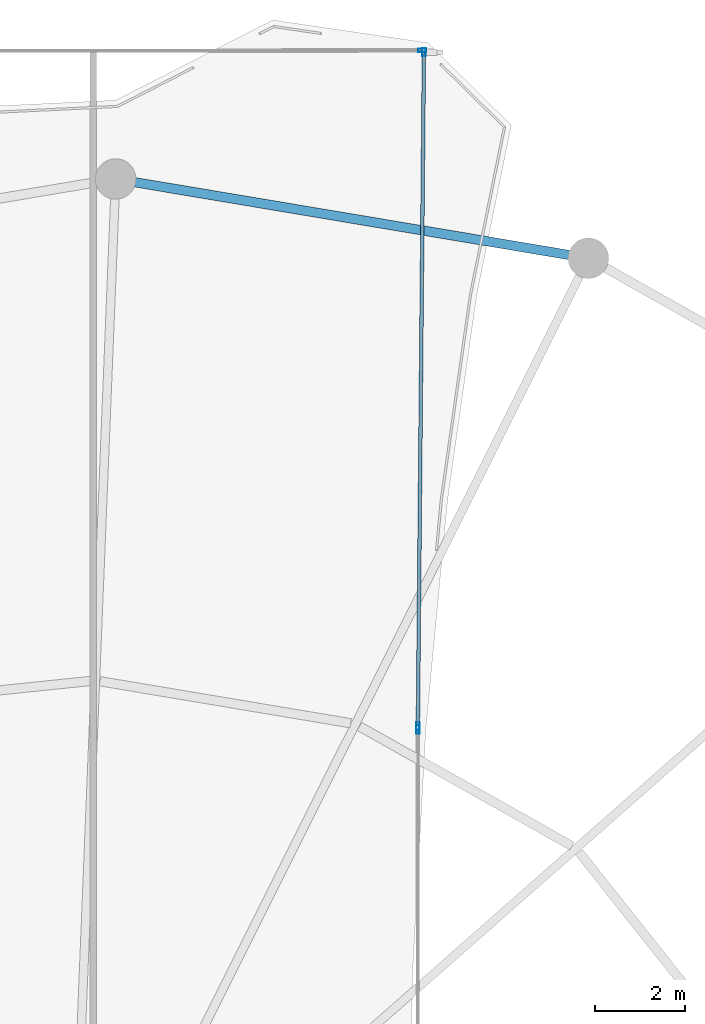
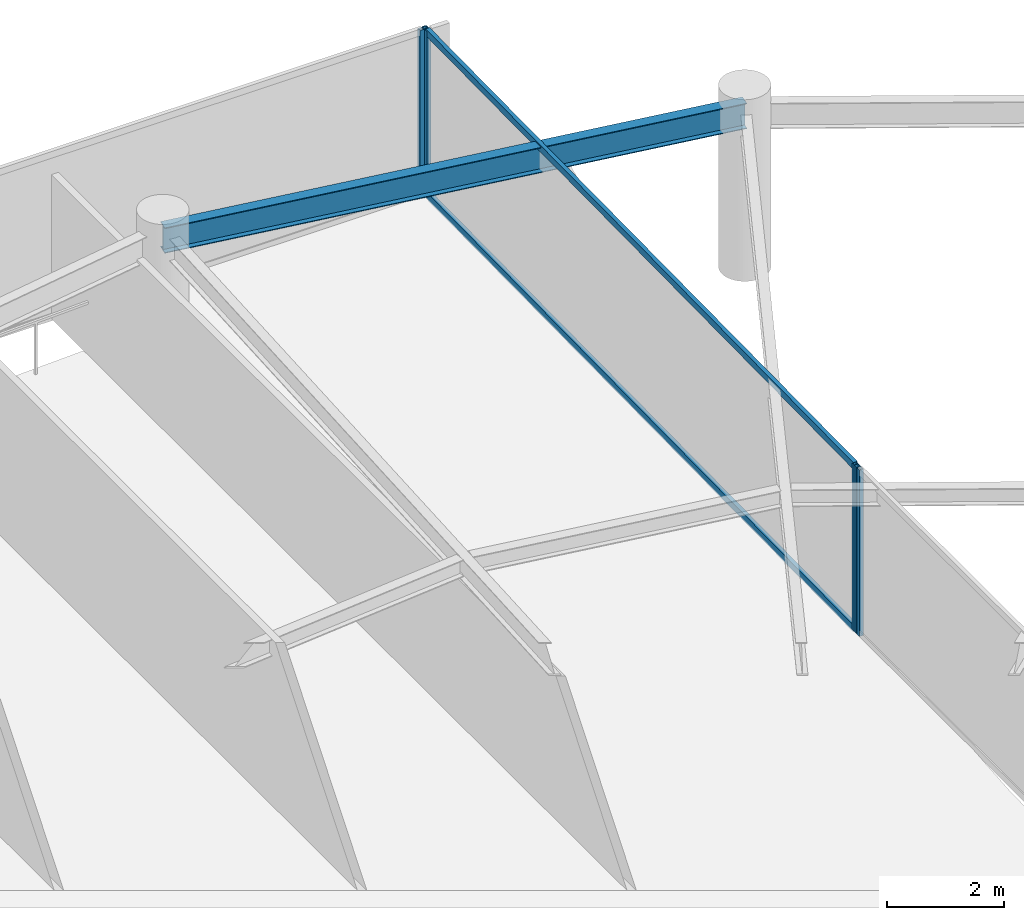
# One storey, part 16 of 22: 6 members, 1 beam, 3 elements without a shape of their own.
"""IFC4 building model written with IfcOpenShell, lengths in metres."""

from ifc_helpers import new_model, si_unit, direction, frame, origin, origin_2d, place, context, subcontext, project, spatial, hollow_rectangle, i_section, extrude, material, layer, layer_set, material_profile, profile_set, type_object, element, aggregate, save


model = new_model("IFC4")

# Units and contexts
model_context = context("Model", 3, precision=1e-05, world=origin(), true_north=direction((0.0, 1.0)))
body_context = subcontext(model_context, "Body", "Model", "MODEL_VIEW")
ifc_project = project(units=[si_unit("LENGTHUNIT", "METRE"), si_unit("AREAUNIT", "SQUARE_METRE"), si_unit("VOLUMEUNIT", "CUBIC_METRE"), si_unit("PLANEANGLEUNIT", "RADIAN"), si_unit("MASSUNIT", "GRAM", prefix="KILO")], contexts=[model_context])

# Site, building, storey
site_placement = place(None, origin())
site = spatial("IfcSite", under=ifc_project, at=site_placement, CompositionType="ELEMENT")
building_placement = place(site_placement, origin())
building = spatial("IfcBuilding", under=site, at=building_placement, Name="Kazevale Care Tower and Concert Hall", CompositionType="ELEMENT")
storey_placement = place(building_placement, frame((0.0, 0.0, 277.60009765625)))
storey = spatial("IfcBuildingStorey", under=building, at=storey_placement, Name="L73", CompositionType="ELEMENT", Elevation=277.60009765625)

# Curtain wall, member
ifc_material_1 = material(Name="Aluminium 6063-T6 and Low-E Glass", Category="aluminium")
ifc_layer = layer(ifc_material_1, 0.179931640625)
ifc_layer_set = layer_set([ifc_layer], Name="Aluminium 6063-T6 and Low-E Glass")
curtain_wall_type = type_object("IfcCurtainWallType", Name="Waist & Upper Residential Curtain Wall CW-4", PredefinedType="NOTDEFINED", material=ifc_layer_set)
curtain_wall_1_placement = place(storey_placement, origin())
curtain_wall_1 = element("IfcCurtainWall", 1, at=curtain_wall_1_placement, inside=storey, type_object=curtain_wall_type, Name="cw:L73:f12", PredefinedType="NOTDEFINED")
ifc_material_2 = material(Name="Aluminium 6063-T6", Category="aluminium")
ifc_material_profile_1 = material_profile(ifc_material_2, hollow_rectangle(XDim=0.080078125, YDim=0.179931640625, WallThickness=0.0048828125, at=origin_2d()), Name="ALU80x180x5")
ifc_profile_set_1 = profile_set([ifc_material_profile_1], Name="Aluminium 6063-T6")
member_type_1 = type_object("IfcMemberType", Name="CW-4 Mullion ALU80x180x5", PredefinedType="MULLION", material=ifc_profile_set_1)
member_1_placement = place(storey_placement, frame((51.806884765625, 64.0068359375, 0.0), z_axis=(0.0, 0.0, 1.0), x_axis=(-0.001377708789, 0.999999050959, 0.0)))
member_1 = element("IfcMember", 2, at=member_1_placement, type_object=member_type_1, Name="CW-4 mullion 2", PredefinedType="MULLION", context=body_context, shape_type="SweptSolid", body=[
    extrude(hollow_rectangle(XDim=0.080078125, YDim=0.179931640625, WallThickness=0.0048828125, at=origin_2d()), origin(), (0.0, 0.0, 1.0), 3.47998046875),
])
aggregate(curtain_wall_1, [member_1])

# Curtain wall, members
curtain_wall_2_placement = place(storey_placement, origin())
curtain_wall_2 = element("IfcCurtainWall", 3, at=curtain_wall_2_placement, inside=storey, type_object=curtain_wall_type, Name="cw:L73:f13", PredefinedType="NOTDEFINED")
member_2_placement = place(storey_placement, frame((51.8466796875, 63.967041015625, 0.0), z_axis=(0.0, 0.0, 1.0), x_axis=(0.999959765737, -0.008970334801, 0.0)))
member_2 = element("IfcMember", 4, at=member_2_placement, type_object=member_type_1, Name="CW-4 mullion 1", PredefinedType="MULLION", context=body_context, shape_type="SweptSolid", body=[
    extrude(hollow_rectangle(XDim=0.080078125, YDim=0.179931640625, WallThickness=0.0048828125, at=origin_2d()), origin(), (0.0, 0.0, 1.0), 3.47998046875),
])
member_3_placement = place(storey_placement, frame((51.71240234375, 48.998046875, 0.0), z_axis=(0.0, 0.0, 1.0), x_axis=(0.999959765737, -0.008970334801, 0.0)))
member_3 = element("IfcMember", 5, at=member_3_placement, type_object=member_type_1, Name="CW-4 mullion 2", PredefinedType="MULLION", context=body_context, shape_type="SweptSolid", body=[
    extrude(hollow_rectangle(XDim=0.080078125, YDim=0.179931640625, WallThickness=0.0048828125, at=origin_2d()), origin(), (0.0, 0.0, 1.0), 3.47998046875),
])

# Curtain wall, member
curtain_wall_3_placement = place(storey_placement, origin())
curtain_wall_3 = element("IfcCurtainWall", 6, at=curtain_wall_3_placement, inside=storey, type_object=curtain_wall_type, Name="cw:L73:f14", PredefinedType="NOTDEFINED")
member_4_placement = place(storey_placement, frame((51.7119140625, 48.91796875, 0.0), z_axis=(0.0, 0.0, 1.0), x_axis=(1.0, 0.0, 0.0)))
member_4 = element("IfcMember", 7, at=member_4_placement, type_object=member_type_1, Name="CW-4 mullion 1", PredefinedType="MULLION", context=body_context, shape_type="SweptSolid", body=[
    extrude(hollow_rectangle(XDim=0.080078125, YDim=0.179931640625, WallThickness=0.0048828125, at=origin_2d()), origin(), (0.0, 0.0, 1.0), 3.47998046875),
])
aggregate(curtain_wall_3, [member_4])

# Member
ifc_material_profile_2 = material_profile(ifc_material_2, hollow_rectangle(XDim=0.080078125, YDim=0.139892578125, WallThickness=0.00390625, at=origin_2d()), Name="ALU80x140x4")
ifc_profile_set_2 = profile_set([ifc_material_profile_2], Name="Aluminium 6063-T6")
member_type_2 = type_object("IfcMemberType", Name="CW-4 Transom ALU80x140x4", PredefinedType="USERDEFINED", material=ifc_profile_set_2)
member_5_placement = place(storey_placement, frame((51.84619140625, 63.927001953125, 0.039794921875), z_axis=(-0.008969057934, -0.999959777191, 0.0), x_axis=(0.999959777191, -0.008969057934, 0.0)))
member_5 = element("IfcMember", 8, at=member_5_placement, type_object=member_type_2, Name="CW-4 transom 1.1", ObjectType="TRANSOM", PredefinedType="USERDEFINED", context=body_context, shape_type="SweptSolid", body=[
    extrude(hollow_rectangle(XDim=0.080078125, YDim=0.139892578125, WallThickness=0.00390625, at=origin_2d()), origin(), (0.0, 0.0, 1.0), 14.889404296875),
])

member_6_placement = place(storey_placement, frame((51.84619140625, 63.927001953125, 3.43994140625), z_axis=(-0.008969057934, -0.999959777191, 0.0), x_axis=(0.999959777191, -0.008969057934, 0.0)))
member_6 = element("IfcMember", 9, at=member_6_placement, type_object=member_type_2, Name="CW-4 transom 1.2", ObjectType="TRANSOM", PredefinedType="USERDEFINED", context=body_context, shape_type="SweptSolid", body=[
    extrude(hollow_rectangle(XDim=0.080078125, YDim=0.139892578125, WallThickness=0.00390625, at=origin_2d()), origin(), (0.0, 0.0, 1.0), 14.889404296875),
])

aggregate(curtain_wall_2, [member_2, member_3, member_5, member_6])

# Beam
ifc_material_3 = material(Name="Steel ASTM A572 Gr 50", Category="steel")
ifc_material_profile_3 = material_profile(ifc_material_3, i_section(OverallWidth=0.208984375, OverallDepth=0.532958984375, WebThickness=0.01025390625, FlangeThickness=0.015625, at=origin_2d()), Name="W530x92")
ifc_profile_set_3 = profile_set([ifc_material_profile_3], Name="Steel ASTM A572 Gr 50")
beam_type = type_object("IfcBeamType", Name="Upper Ring Beam W530x92", PredefinedType="BEAM", material=ifc_profile_set_3)
beam_placement = place(storey_placement, frame((55.5, 59.389892578125, 3.21337890625), z_axis=(-0.986241035683, 0.165313700387, 0.0), x_axis=(-0.165313700387, -0.986241035683, 0.0)))
element("IfcBeam", 10, at=beam_placement, inside=storey, type_object=beam_type, Name="beam:L73:ring:04", PredefinedType="BEAM", context=body_context, shape_type="SweptSolid", body=[
    extrude(i_section(OverallWidth=0.208984375, OverallDepth=0.532958984375, WebThickness=0.01025390625, FlangeThickness=0.015625, at=origin_2d()), origin(), (0.0, 0.0, 1.0), 10.646484375),
])

save(model, "model.ifc")
